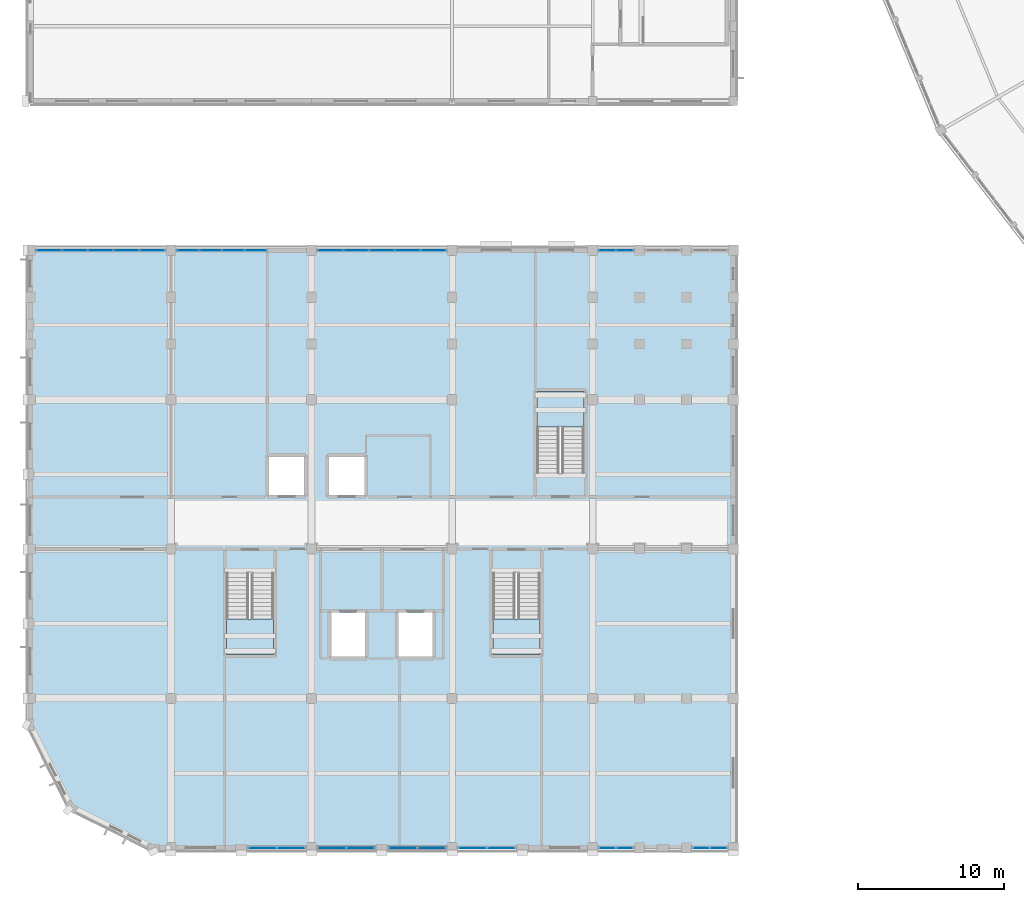
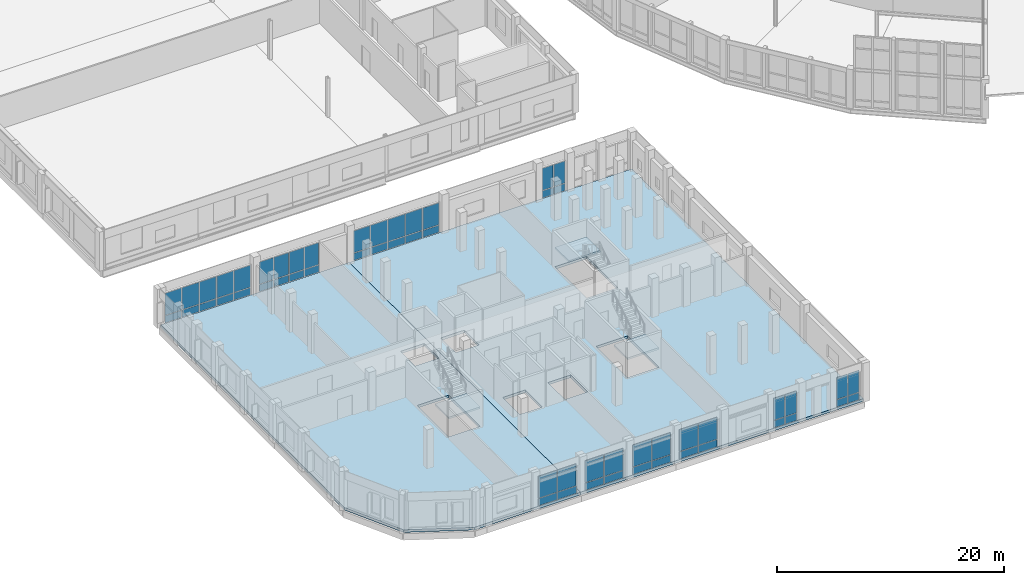
# One storey, part 136 of 185: 56 plates, 5 slabs, 13 elements without a shape of their own.
"""IFC4 building model written with IfcOpenShell, lengths in metres."""

from ifc_helpers import new_model, si_unit, direction, frame, origin, origin_2d, place, context, subcontext, project, spatial, polyline, rectangle, outline, extrude, material, layer, layer_set, type_object, element, aggregate, save


model = new_model("IFC4")

# Units and contexts
model_context = context("Model", 3, precision=1e-05, world=origin(), true_north=direction((0.0, 1.0)))
body_context = subcontext(model_context, "Body", "Model", "MODEL_VIEW")
ifc_project = project(units=[si_unit("LENGTHUNIT", "METRE"), si_unit("AREAUNIT", "SQUARE_METRE"), si_unit("VOLUMEUNIT", "CUBIC_METRE"), si_unit("PLANEANGLEUNIT", "RADIAN"), si_unit("MASSUNIT", "GRAM", prefix="KILO")], contexts=[model_context])

# Site, building, storey
site_placement = place(None, origin())
site = spatial("IfcSite", under=ifc_project, at=site_placement, CompositionType="ELEMENT")
building_placement = place(site_placement, origin())
building = spatial("IfcBuilding", under=site, at=building_placement, Name="Vondelvale Polytechnic", CompositionType="ELEMENT")
storey_placement = place(building_placement, frame((0.0, 0.0, 9.60009765625)))
storey = spatial("IfcBuildingStorey", under=building, at=storey_placement, Name="L02", CompositionType="ELEMENT", Elevation=9.60009765625)

# Curtain wall, plates
ifc_material_1 = material(Name="Anodised extruded aluminium 6063-T6", Category="aluminium")
curtain_wall_type_1 = type_object("IfcCurtainWallType", Name="CW-LIBRARY-BAY", PredefinedType="NOTDEFINED", material=ifc_material_1)
curtain_wall_1_placement = place(storey_placement, origin())
curtain_wall_1 = element("IfcCurtainWall", 1, at=curtain_wall_1_placement, inside=storey, type_object=curtain_wall_type_1, Name="L02 architectural curtain wall CW-02-013", PredefinedType="NOTDEFINED")
ifc_material_2 = material(Name="Double-glazed low-E insulated architectural glass", Category="glass")
ifc_layer_1 = layer(ifc_material_2, 0.028076171875)
ifc_layer_set_1 = layer_set([ifc_layer_1], Name="CW-PANEL-GLAZED")
plate_type_1 = type_object("IfcPlateType", Name="CW-PANEL-GLAZED", PredefinedType="CURTAIN_PANEL", material=ifc_layer_set_1)
plate_1_placement = place(storey_placement, frame((15.84375, 0.0, 0.8798828125), z_axis=(0.0, 0.0, 1.0), x_axis=(1.0, 0.0, 0.0)))
plate_1 = element("IfcPlate", 2, at=plate_1_placement, type_object=plate_type_1, Name="CW-02-013 panel 1.2", PredefinedType="CURTAIN_PANEL", context=body_context, shape_type="SweptSolid", body=[
    extrude(rectangle(XDim=1.8974609375, YDim=0.028076171875, at=origin_2d()), origin(), (0.0, 0.0, 1.0), 2.360107421875),
])
plate_2_placement = place(storey_placement, frame((17.80615234375, 0.0, 0.8798828125), z_axis=(0.0, 0.0, 1.0), x_axis=(1.0, 0.0, 0.0)))
plate_2 = element("IfcPlate", 3, at=plate_2_placement, type_object=plate_type_1, Name="CW-02-013 panel 2.2", PredefinedType="CURTAIN_PANEL", context=body_context, shape_type="SweptSolid", body=[
    extrude(rectangle(XDim=1.8974609375, YDim=0.028076171875, at=origin_2d()), origin(), (0.0, 0.0, 1.0), 2.360107421875),
])

curtain_wall_2_placement = place(storey_placement, origin())
curtain_wall_2 = element("IfcCurtainWall", 4, at=curtain_wall_2_placement, inside=storey, type_object=curtain_wall_type_1, Name="L02 architectural curtain wall CW-02-014", PredefinedType="NOTDEFINED")
plate_3_placement = place(storey_placement, frame((20.59375, 0.0, 0.8798828125), z_axis=(0.0, 0.0, 1.0), x_axis=(1.0, 0.0, 0.0)))
plate_3 = element("IfcPlate", 5, at=plate_3_placement, type_object=plate_type_1, Name="CW-02-014 panel 1.2", PredefinedType="CURTAIN_PANEL", context=body_context, shape_type="SweptSolid", body=[
    extrude(rectangle(XDim=1.8974609375, YDim=0.028076171875, at=origin_2d()), origin(), (0.0, 0.0, 1.0), 2.360107421875),
])
plate_4_placement = place(storey_placement, frame((22.55615234375, 0.0, 0.8798828125), z_axis=(0.0, 0.0, 1.0), x_axis=(1.0, 0.0, 0.0)))
plate_4 = element("IfcPlate", 6, at=plate_4_placement, type_object=plate_type_1, Name="CW-02-014 panel 2.2", PredefinedType="CURTAIN_PANEL", context=body_context, shape_type="SweptSolid", body=[
    extrude(rectangle(XDim=1.8974609375, YDim=0.028076171875, at=origin_2d()), origin(), (0.0, 0.0, 1.0), 2.360107421875),
])

curtain_wall_3_placement = place(storey_placement, origin())
curtain_wall_3 = element("IfcCurtainWall", 7, at=curtain_wall_3_placement, inside=storey, type_object=curtain_wall_type_1, Name="L02 architectural curtain wall CW-02-015", PredefinedType="NOTDEFINED")
plate_5_placement = place(storey_placement, frame((25.44384765625, 0.0, 0.8798828125), z_axis=(0.0, 0.0, 1.0), x_axis=(1.0, 0.0, 0.0)))
plate_5 = element("IfcPlate", 8, at=plate_5_placement, type_object=plate_type_1, Name="CW-02-015 panel 1.2", PredefinedType="CURTAIN_PANEL", context=body_context, shape_type="SweptSolid", body=[
    extrude(rectangle(XDim=1.8974609375, YDim=0.028076171875, at=origin_2d()), origin(), (0.0, 0.0, 1.0), 2.360107421875),
])
plate_6_placement = place(storey_placement, frame((27.40625, 0.0, 0.8798828125), z_axis=(0.0, 0.0, 1.0), x_axis=(1.0, 0.0, 0.0)))
plate_6 = element("IfcPlate", 9, at=plate_6_placement, type_object=plate_type_1, Name="CW-02-015 panel 2.2", PredefinedType="CURTAIN_PANEL", context=body_context, shape_type="SweptSolid", body=[
    extrude(rectangle(XDim=1.8974609375, YDim=0.028076171875, at=origin_2d()), origin(), (0.0, 0.0, 1.0), 2.360107421875),
])

curtain_wall_4_placement = place(storey_placement, origin())
curtain_wall_4 = element("IfcCurtainWall", 10, at=curtain_wall_4_placement, inside=storey, type_object=curtain_wall_type_1, Name="L02 architectural curtain wall CW-02-016", PredefinedType="NOTDEFINED")
plate_7_placement = place(storey_placement, frame((30.19384765625, 0.0, 0.8798828125), z_axis=(0.0, 0.0, 1.0), x_axis=(1.0, 0.0, 0.0)))
plate_7 = element("IfcPlate", 11, at=plate_7_placement, type_object=plate_type_1, Name="CW-02-016 panel 1.2", PredefinedType="CURTAIN_PANEL", context=body_context, shape_type="SweptSolid", body=[
    extrude(rectangle(XDim=1.8974609375, YDim=0.028076171875, at=origin_2d()), origin(), (0.0, 0.0, 1.0), 2.360107421875),
])
plate_8_placement = place(storey_placement, frame((32.15625, 0.0, 0.8798828125), z_axis=(0.0, 0.0, 1.0), x_axis=(1.0, 0.0, 0.0)))
plate_8 = element("IfcPlate", 12, at=plate_8_placement, type_object=plate_type_1, Name="CW-02-016 panel 2.2", PredefinedType="CURTAIN_PANEL", context=body_context, shape_type="SweptSolid", body=[
    extrude(rectangle(XDim=1.8974609375, YDim=0.028076171875, at=origin_2d()), origin(), (0.0, 0.0, 1.0), 2.360107421875),
])

curtain_wall_5_placement = place(storey_placement, origin())
curtain_wall_5 = element("IfcCurtainWall", 13, at=curtain_wall_5_placement, inside=storey, type_object=curtain_wall_type_1, Name="L02 architectural curtain wall CW-02-017", PredefinedType="NOTDEFINED")
plate_9_placement = place(storey_placement, frame((39.40625, 0.0, 0.8798828125), z_axis=(0.0, 0.0, 1.0), x_axis=(1.0, 0.0, 0.0)))
plate_9 = element("IfcPlate", 14, at=plate_9_placement, type_object=plate_type_1, Name="CW-02-017 panel 1.2", PredefinedType="CURTAIN_PANEL", context=body_context, shape_type="SweptSolid", body=[
    extrude(rectangle(XDim=1.12255859375, YDim=0.028076171875, at=origin_2d()), origin(), (0.0, 0.0, 1.0), 2.360107421875),
])
plate_10_placement = place(storey_placement, frame((40.59375, 0.0, 0.8798828125), z_axis=(0.0, 0.0, 1.0), x_axis=(1.0, 0.0, 0.0)))
plate_10 = element("IfcPlate", 15, at=plate_10_placement, type_object=plate_type_1, Name="CW-02-017 panel 2.2", PredefinedType="CURTAIN_PANEL", context=body_context, shape_type="SweptSolid", body=[
    extrude(rectangle(XDim=1.12255859375, YDim=0.028076171875, at=origin_2d()), origin(), (0.0, 0.0, 1.0), 2.360107421875),
])

curtain_wall_6_placement = place(storey_placement, origin())
curtain_wall_6 = element("IfcCurtainWall", 16, at=curtain_wall_6_placement, inside=storey, type_object=curtain_wall_type_1, Name="L02 architectural curtain wall CW-02-018", PredefinedType="NOTDEFINED")
plate_11_placement = place(storey_placement, frame((45.80615234375, 0.0, 0.8798828125), z_axis=(0.0, 0.0, 1.0), x_axis=(1.0, 0.0, 0.0)))
plate_11 = element("IfcPlate", 17, at=plate_11_placement, type_object=plate_type_1, Name="CW-02-018 panel 1.2", PredefinedType="CURTAIN_PANEL", context=body_context, shape_type="SweptSolid", body=[
    extrude(rectangle(XDim=1.12255859375, YDim=0.028076171875, at=origin_2d()), origin(), (0.0, 0.0, 1.0), 2.360107421875),
])
plate_12_placement = place(storey_placement, frame((46.99365234375, 0.0, 0.8798828125), z_axis=(0.0, 0.0, 1.0), x_axis=(1.0, 0.0, 0.0)))
plate_12 = element("IfcPlate", 18, at=plate_12_placement, type_object=plate_type_1, Name="CW-02-018 panel 2.2", PredefinedType="CURTAIN_PANEL", context=body_context, shape_type="SweptSolid", body=[
    extrude(rectangle(XDim=1.12255859375, YDim=0.028076171875, at=origin_2d()), origin(), (0.0, 0.0, 1.0), 2.360107421875),
])

curtain_wall_type_2 = type_object("IfcCurtainWallType", Name="CW-STUDIO-NORTH", PredefinedType="NOTDEFINED", material=ifc_material_1)
curtain_wall_7_placement = place(storey_placement, origin())
curtain_wall_7 = element("IfcCurtainWall", 19, at=curtain_wall_7_placement, inside=storey, type_object=curtain_wall_type_2, Name="L02 architectural curtain wall CW-01-019", PredefinedType="NOTDEFINED")
plate_13_placement = place(storey_placement, frame((1.2802734375, 40.800048828125, 0.8798828125), z_axis=(0.0, 0.0, 1.0), x_axis=(1.0, 0.0, 0.0)))
plate_13 = element("IfcPlate", 20, at=plate_13_placement, type_object=plate_type_1, Name="CW-01-019 panel 1.2", PredefinedType="CURTAIN_PANEL", context=body_context, shape_type="SweptSolid", body=[
    extrude(rectangle(XDim=1.67041015625, YDim=0.028076171875, at=origin_2d()), origin(), (0.0, 0.0, 1.0), 2.360107421875),
])
plate_14_placement = place(storey_placement, frame((3.031982421875, 40.800048828125, 0.8798828125), z_axis=(0.0, 0.0, 1.0), x_axis=(1.0, 0.0, 0.0)))
plate_14 = element("IfcPlate", 21, at=plate_14_placement, type_object=plate_type_1, Name="CW-01-019 panel 2.2", PredefinedType="CURTAIN_PANEL", context=body_context, shape_type="SweptSolid", body=[
    extrude(rectangle(XDim=1.702880859375, YDim=0.028076171875, at=origin_2d()), origin(), (0.0, 0.0, 1.0), 2.360107421875),
])
plate_15_placement = place(storey_placement, frame((4.800048828125, 40.800048828125, 0.8798828125), z_axis=(0.0, 0.0, 1.0), x_axis=(1.0, 0.0, 0.0)))
plate_15 = element("IfcPlate", 22, at=plate_15_placement, type_object=plate_type_1, Name="CW-01-019 panel 3.2", PredefinedType="CURTAIN_PANEL", context=body_context, shape_type="SweptSolid", body=[
    extrude(rectangle(XDim=1.702880859375, YDim=0.028076171875, at=origin_2d()), origin(), (0.0, 0.0, 1.0), 2.360107421875),
])
plate_16_placement = place(storey_placement, frame((6.568115234375, 40.800048828125, 0.8798828125), z_axis=(0.0, 0.0, 1.0), x_axis=(1.0, 0.0, 0.0)))
plate_16 = element("IfcPlate", 23, at=plate_16_placement, type_object=plate_type_1, Name="CW-01-019 panel 4.2", PredefinedType="CURTAIN_PANEL", context=body_context, shape_type="SweptSolid", body=[
    extrude(rectangle(XDim=1.702880859375, YDim=0.028076171875, at=origin_2d()), origin(), (0.0, 0.0, 1.0), 2.360107421875),
])
plate_17_placement = place(storey_placement, frame((8.31982421875, 40.800048828125, 0.8798828125), z_axis=(0.0, 0.0, 1.0), x_axis=(1.0, 0.0, 0.0)))
plate_17 = element("IfcPlate", 24, at=plate_17_placement, type_object=plate_type_1, Name="CW-01-019 panel 5.2", PredefinedType="CURTAIN_PANEL", context=body_context, shape_type="SweptSolid", body=[
    extrude(rectangle(XDim=1.67041015625, YDim=0.028076171875, at=origin_2d()), origin(), (0.0, 0.0, 1.0), 2.360107421875),
])

curtain_wall_8_placement = place(storey_placement, origin())
curtain_wall_8 = element("IfcCurtainWall", 25, at=curtain_wall_8_placement, inside=storey, type_object=curtain_wall_type_2, Name="L02 architectural curtain wall CW-01-020", PredefinedType="NOTDEFINED")
plate_18_placement = place(storey_placement, frame((10.768798828125, 40.800048828125, 0.8798828125), z_axis=(0.0, 0.0, 1.0), x_axis=(1.0, 0.0, 0.0)))
plate_18 = element("IfcPlate", 26, at=plate_18_placement, type_object=plate_type_1, Name="CW-01-020 panel 1.2", PredefinedType="CURTAIN_PANEL", context=body_context, shape_type="SweptSolid", body=[
    extrude(rectangle(XDim=1.447509765625, YDim=0.028076171875, at=origin_2d()), origin(), (0.0, 0.0, 1.0), 2.360107421875),
])
plate_19_placement = place(storey_placement, frame((12.297607421875, 40.800048828125, 0.8798828125), z_axis=(0.0, 0.0, 1.0), x_axis=(1.0, 0.0, 0.0)))
plate_19 = element("IfcPlate", 27, at=plate_19_placement, type_object=plate_type_1, Name="CW-01-020 panel 2.2", PredefinedType="CURTAIN_PANEL", context=body_context, shape_type="SweptSolid", body=[
    extrude(rectangle(XDim=1.47998046875, YDim=0.028076171875, at=origin_2d()), origin(), (0.0, 0.0, 1.0), 2.360107421875),
])
plate_20_placement = place(storey_placement, frame((13.842529296875, 40.800048828125, 0.8798828125), z_axis=(0.0, 0.0, 1.0), x_axis=(1.0, 0.0, 0.0)))
plate_20 = element("IfcPlate", 28, at=plate_20_placement, type_object=plate_type_1, Name="CW-01-020 panel 3.2", PredefinedType="CURTAIN_PANEL", context=body_context, shape_type="SweptSolid", body=[
    extrude(rectangle(XDim=1.47998046875, YDim=0.028076171875, at=origin_2d()), origin(), (0.0, 0.0, 1.0), 2.360107421875),
])
plate_21_placement = place(storey_placement, frame((15.371337890625, 40.800048828125, 0.8798828125), z_axis=(0.0, 0.0, 1.0), x_axis=(1.0, 0.0, 0.0)))
plate_21 = element("IfcPlate", 29, at=plate_21_placement, type_object=plate_type_1, Name="CW-01-020 panel 4.2", PredefinedType="CURTAIN_PANEL", context=body_context, shape_type="SweptSolid", body=[
    extrude(rectangle(XDim=1.447509765625, YDim=0.028076171875, at=origin_2d()), origin(), (0.0, 0.0, 1.0), 2.360107421875),
])

curtain_wall_9_placement = place(storey_placement, origin())
curtain_wall_9 = element("IfcCurtainWall", 30, at=curtain_wall_9_placement, inside=storey, type_object=curtain_wall_type_2, Name="L02 architectural curtain wall CW-01-021", PredefinedType="NOTDEFINED")
plate_22_placement = place(storey_placement, frame((20.480224609375, 40.800048828125, 0.8798828125), z_axis=(0.0, 0.0, 1.0), x_axis=(1.0, 0.0, 0.0)))
plate_22 = element("IfcPlate", 31, at=plate_22_placement, type_object=plate_type_1, Name="CW-01-021 panel 1.2", PredefinedType="CURTAIN_PANEL", context=body_context, shape_type="SweptSolid", body=[
    extrude(rectangle(XDim=1.67041015625, YDim=0.028076171875, at=origin_2d()), origin(), (0.0, 0.0, 1.0), 2.360107421875),
])
plate_23_placement = place(storey_placement, frame((22.23193359375, 40.800048828125, 0.8798828125), z_axis=(0.0, 0.0, 1.0), x_axis=(1.0, 0.0, 0.0)))
plate_23 = element("IfcPlate", 32, at=plate_23_placement, type_object=plate_type_1, Name="CW-01-021 panel 2.2", PredefinedType="CURTAIN_PANEL", context=body_context, shape_type="SweptSolid", body=[
    extrude(rectangle(XDim=1.702880859375, YDim=0.028076171875, at=origin_2d()), origin(), (0.0, 0.0, 1.0), 2.360107421875),
])
plate_24_placement = place(storey_placement, frame((24.0, 40.800048828125, 0.8798828125), z_axis=(0.0, 0.0, 1.0), x_axis=(1.0, 0.0, 0.0)))
plate_24 = element("IfcPlate", 33, at=plate_24_placement, type_object=plate_type_1, Name="CW-01-021 panel 3.2", PredefinedType="CURTAIN_PANEL", context=body_context, shape_type="SweptSolid", body=[
    extrude(rectangle(XDim=1.702880859375, YDim=0.028076171875, at=origin_2d()), origin(), (0.0, 0.0, 1.0), 2.360107421875),
])
plate_25_placement = place(storey_placement, frame((25.76806640625, 40.800048828125, 0.8798828125), z_axis=(0.0, 0.0, 1.0), x_axis=(1.0, 0.0, 0.0)))
plate_25 = element("IfcPlate", 34, at=plate_25_placement, type_object=plate_type_1, Name="CW-01-021 panel 4.2", PredefinedType="CURTAIN_PANEL", context=body_context, shape_type="SweptSolid", body=[
    extrude(rectangle(XDim=1.702880859375, YDim=0.028076171875, at=origin_2d()), origin(), (0.0, 0.0, 1.0), 2.360107421875),
])
plate_26_placement = place(storey_placement, frame((27.519775390625, 40.800048828125, 0.8798828125), z_axis=(0.0, 0.0, 1.0), x_axis=(1.0, 0.0, 0.0)))
plate_26 = element("IfcPlate", 35, at=plate_26_placement, type_object=plate_type_1, Name="CW-01-021 panel 5.2", PredefinedType="CURTAIN_PANEL", context=body_context, shape_type="SweptSolid", body=[
    extrude(rectangle(XDim=1.67041015625, YDim=0.028076171875, at=origin_2d()), origin(), (0.0, 0.0, 1.0), 2.360107421875),
])

curtain_wall_10_placement = place(storey_placement, origin())
curtain_wall_10 = element("IfcCurtainWall", 36, at=curtain_wall_10_placement, inside=storey, type_object=curtain_wall_type_2, Name="L02 architectural curtain wall CW-01-022", PredefinedType="NOTDEFINED")
plate_27_placement = place(storey_placement, frame((39.40625, 40.800048828125, 0.8798828125), z_axis=(0.0, 0.0, 1.0), x_axis=(1.0, 0.0, 0.0)))
plate_27 = element("IfcPlate", 37, at=plate_27_placement, type_object=plate_type_1, Name="CW-01-022 panel 1.2", PredefinedType="CURTAIN_PANEL", context=body_context, shape_type="SweptSolid", body=[
    extrude(rectangle(XDim=1.12255859375, YDim=0.028076171875, at=origin_2d()), origin(), (0.0, 0.0, 1.0), 2.360107421875),
])
plate_28_placement = place(storey_placement, frame((40.59375, 40.800048828125, 0.8798828125), z_axis=(0.0, 0.0, 1.0), x_axis=(1.0, 0.0, 0.0)))
plate_28 = element("IfcPlate", 38, at=plate_28_placement, type_object=plate_type_1, Name="CW-01-022 panel 2.2", PredefinedType="CURTAIN_PANEL", context=body_context, shape_type="SweptSolid", body=[
    extrude(rectangle(XDim=1.12255859375, YDim=0.028076171875, at=origin_2d()), origin(), (0.0, 0.0, 1.0), 2.360107421875),
])

# Plate
ifc_material_3 = material(Name="Kiln-fired architectural terracotta", Category="masonry")
ifc_layer_2 = layer(ifc_material_3, 0.035888671875)
ifc_layer_set_2 = layer_set([ifc_layer_2], Name="CW-PANEL-SPANDREL")
plate_type_2 = type_object("IfcPlateType", Name="CW-PANEL-SPANDREL", PredefinedType="CURTAIN_PANEL", material=ifc_layer_set_2)
plate_29_placement = place(storey_placement, frame((15.84375, 0.0, 0.06005859375), z_axis=(0.0, 0.0, 1.0), x_axis=(1.0, 0.0, 0.0)))
plate_29 = element("IfcPlate", 39, at=plate_29_placement, type_object=plate_type_2, Name="CW-02-013 panel 1.1", PredefinedType="CURTAIN_PANEL", context=body_context, shape_type="SweptSolid", body=[
    extrude(rectangle(XDim=1.8974609375, YDim=0.035888671875, at=origin_2d()), origin(), (0.0, 0.0, 1.0), 0.760009765625),
])

plate_30_placement = place(storey_placement, frame((17.80615234375, 0.0, 0.06005859375), z_axis=(0.0, 0.0, 1.0), x_axis=(1.0, 0.0, 0.0)))
plate_30 = element("IfcPlate", 40, at=plate_30_placement, type_object=plate_type_2, Name="CW-02-013 panel 2.1", PredefinedType="CURTAIN_PANEL", context=body_context, shape_type="SweptSolid", body=[
    extrude(rectangle(XDim=1.8974609375, YDim=0.035888671875, at=origin_2d()), origin(), (0.0, 0.0, 1.0), 0.760009765625),
])

aggregate(curtain_wall_1, [plate_29, plate_1, plate_30, plate_2])

plate_31_placement = place(storey_placement, frame((20.59375, 0.0, 0.06005859375), z_axis=(0.0, 0.0, 1.0), x_axis=(1.0, 0.0, 0.0)))
plate_31 = element("IfcPlate", 41, at=plate_31_placement, type_object=plate_type_2, Name="CW-02-014 panel 1.1", PredefinedType="CURTAIN_PANEL", context=body_context, shape_type="SweptSolid", body=[
    extrude(rectangle(XDim=1.8974609375, YDim=0.035888671875, at=origin_2d()), origin(), (0.0, 0.0, 1.0), 0.760009765625),
])

plate_32_placement = place(storey_placement, frame((22.55615234375, 0.0, 0.06005859375), z_axis=(0.0, 0.0, 1.0), x_axis=(1.0, 0.0, 0.0)))
plate_32 = element("IfcPlate", 42, at=plate_32_placement, type_object=plate_type_2, Name="CW-02-014 panel 2.1", PredefinedType="CURTAIN_PANEL", context=body_context, shape_type="SweptSolid", body=[
    extrude(rectangle(XDim=1.8974609375, YDim=0.035888671875, at=origin_2d()), origin(), (0.0, 0.0, 1.0), 0.760009765625),
])

aggregate(curtain_wall_2, [plate_31, plate_3, plate_32, plate_4])

plate_33_placement = place(storey_placement, frame((25.44384765625, 0.0, 0.06005859375), z_axis=(0.0, 0.0, 1.0), x_axis=(1.0, 0.0, 0.0)))
plate_33 = element("IfcPlate", 43, at=plate_33_placement, type_object=plate_type_2, Name="CW-02-015 panel 1.1", PredefinedType="CURTAIN_PANEL", context=body_context, shape_type="SweptSolid", body=[
    extrude(rectangle(XDim=1.8974609375, YDim=0.035888671875, at=origin_2d()), origin(), (0.0, 0.0, 1.0), 0.760009765625),
])

plate_34_placement = place(storey_placement, frame((27.40625, 0.0, 0.06005859375), z_axis=(0.0, 0.0, 1.0), x_axis=(1.0, 0.0, 0.0)))
plate_34 = element("IfcPlate", 44, at=plate_34_placement, type_object=plate_type_2, Name="CW-02-015 panel 2.1", PredefinedType="CURTAIN_PANEL", context=body_context, shape_type="SweptSolid", body=[
    extrude(rectangle(XDim=1.8974609375, YDim=0.035888671875, at=origin_2d()), origin(), (0.0, 0.0, 1.0), 0.760009765625),
])

aggregate(curtain_wall_3, [plate_33, plate_5, plate_34, plate_6])

plate_35_placement = place(storey_placement, frame((30.19384765625, 0.0, 0.06005859375), z_axis=(0.0, 0.0, 1.0), x_axis=(1.0, 0.0, 0.0)))
plate_35 = element("IfcPlate", 45, at=plate_35_placement, type_object=plate_type_2, Name="CW-02-016 panel 1.1", PredefinedType="CURTAIN_PANEL", context=body_context, shape_type="SweptSolid", body=[
    extrude(rectangle(XDim=1.8974609375, YDim=0.035888671875, at=origin_2d()), origin(), (0.0, 0.0, 1.0), 0.760009765625),
])

plate_36_placement = place(storey_placement, frame((32.15625, 0.0, 0.06005859375), z_axis=(0.0, 0.0, 1.0), x_axis=(1.0, 0.0, 0.0)))
plate_36 = element("IfcPlate", 46, at=plate_36_placement, type_object=plate_type_2, Name="CW-02-016 panel 2.1", PredefinedType="CURTAIN_PANEL", context=body_context, shape_type="SweptSolid", body=[
    extrude(rectangle(XDim=1.8974609375, YDim=0.035888671875, at=origin_2d()), origin(), (0.0, 0.0, 1.0), 0.760009765625),
])

aggregate(curtain_wall_4, [plate_35, plate_7, plate_36, plate_8])

plate_37_placement = place(storey_placement, frame((39.40625, 0.0, 0.06005859375), z_axis=(0.0, 0.0, 1.0), x_axis=(1.0, 0.0, 0.0)))
plate_37 = element("IfcPlate", 47, at=plate_37_placement, type_object=plate_type_2, Name="CW-02-017 panel 1.1", PredefinedType="CURTAIN_PANEL", context=body_context, shape_type="SweptSolid", body=[
    extrude(rectangle(XDim=1.12255859375, YDim=0.035888671875, at=origin_2d()), origin(), (0.0, 0.0, 1.0), 0.760009765625),
])

plate_38_placement = place(storey_placement, frame((40.59375, 0.0, 0.06005859375), z_axis=(0.0, 0.0, 1.0), x_axis=(1.0, 0.0, 0.0)))
plate_38 = element("IfcPlate", 48, at=plate_38_placement, type_object=plate_type_2, Name="CW-02-017 panel 2.1", PredefinedType="CURTAIN_PANEL", context=body_context, shape_type="SweptSolid", body=[
    extrude(rectangle(XDim=1.12255859375, YDim=0.035888671875, at=origin_2d()), origin(), (0.0, 0.0, 1.0), 0.760009765625),
])

aggregate(curtain_wall_5, [plate_37, plate_9, plate_38, plate_10])

plate_39_placement = place(storey_placement, frame((45.80615234375, 0.0, 0.06005859375), z_axis=(0.0, 0.0, 1.0), x_axis=(1.0, 0.0, 0.0)))
plate_39 = element("IfcPlate", 49, at=plate_39_placement, type_object=plate_type_2, Name="CW-02-018 panel 1.1", PredefinedType="CURTAIN_PANEL", context=body_context, shape_type="SweptSolid", body=[
    extrude(rectangle(XDim=1.12255859375, YDim=0.035888671875, at=origin_2d()), origin(), (0.0, 0.0, 1.0), 0.760009765625),
])

plate_40_placement = place(storey_placement, frame((46.99365234375, 0.0, 0.06005859375), z_axis=(0.0, 0.0, 1.0), x_axis=(1.0, 0.0, 0.0)))
plate_40 = element("IfcPlate", 50, at=plate_40_placement, type_object=plate_type_2, Name="CW-02-018 panel 2.1", PredefinedType="CURTAIN_PANEL", context=body_context, shape_type="SweptSolid", body=[
    extrude(rectangle(XDim=1.12255859375, YDim=0.035888671875, at=origin_2d()), origin(), (0.0, 0.0, 1.0), 0.760009765625),
])

aggregate(curtain_wall_6, [plate_39, plate_11, plate_40, plate_12])

plate_41_placement = place(storey_placement, frame((1.2802734375, 40.800048828125, 0.06005859375), z_axis=(0.0, 0.0, 1.0), x_axis=(1.0, 0.0, 0.0)))
plate_41 = element("IfcPlate", 51, at=plate_41_placement, type_object=plate_type_2, Name="CW-01-019 panel 1.1", PredefinedType="CURTAIN_PANEL", context=body_context, shape_type="SweptSolid", body=[
    extrude(rectangle(XDim=1.67041015625, YDim=0.035888671875, at=origin_2d()), origin(), (0.0, 0.0, 1.0), 0.760009765625),
])

plate_42_placement = place(storey_placement, frame((3.031982421875, 40.800048828125, 0.06005859375), z_axis=(0.0, 0.0, 1.0), x_axis=(1.0, 0.0, 0.0)))
plate_42 = element("IfcPlate", 52, at=plate_42_placement, type_object=plate_type_2, Name="CW-01-019 panel 2.1", PredefinedType="CURTAIN_PANEL", context=body_context, shape_type="SweptSolid", body=[
    extrude(rectangle(XDim=1.702880859375, YDim=0.035888671875, at=origin_2d()), origin(), (0.0, 0.0, 1.0), 0.760009765625),
])

plate_43_placement = place(storey_placement, frame((4.800048828125, 40.800048828125, 0.06005859375), z_axis=(0.0, 0.0, 1.0), x_axis=(1.0, 0.0, 0.0)))
plate_43 = element("IfcPlate", 53, at=plate_43_placement, type_object=plate_type_2, Name="CW-01-019 panel 3.1", PredefinedType="CURTAIN_PANEL", context=body_context, shape_type="SweptSolid", body=[
    extrude(rectangle(XDim=1.702880859375, YDim=0.035888671875, at=origin_2d()), origin(), (0.0, 0.0, 1.0), 0.760009765625),
])

plate_44_placement = place(storey_placement, frame((6.568115234375, 40.800048828125, 0.06005859375), z_axis=(0.0, 0.0, 1.0), x_axis=(1.0, 0.0, 0.0)))
plate_44 = element("IfcPlate", 54, at=plate_44_placement, type_object=plate_type_2, Name="CW-01-019 panel 4.1", PredefinedType="CURTAIN_PANEL", context=body_context, shape_type="SweptSolid", body=[
    extrude(rectangle(XDim=1.702880859375, YDim=0.035888671875, at=origin_2d()), origin(), (0.0, 0.0, 1.0), 0.760009765625),
])

plate_45_placement = place(storey_placement, frame((8.31982421875, 40.800048828125, 0.06005859375), z_axis=(0.0, 0.0, 1.0), x_axis=(1.0, 0.0, 0.0)))
plate_45 = element("IfcPlate", 55, at=plate_45_placement, type_object=plate_type_2, Name="CW-01-019 panel 5.1", PredefinedType="CURTAIN_PANEL", context=body_context, shape_type="SweptSolid", body=[
    extrude(rectangle(XDim=1.67041015625, YDim=0.035888671875, at=origin_2d()), origin(), (0.0, 0.0, 1.0), 0.760009765625),
])

aggregate(curtain_wall_7, [plate_41, plate_13, plate_42, plate_14, plate_43, plate_15, plate_44, plate_16, plate_45, plate_17])

plate_46_placement = place(storey_placement, frame((10.768798828125, 40.800048828125, 0.06005859375), z_axis=(0.0, 0.0, 1.0), x_axis=(1.0, 0.0, 0.0)))
plate_46 = element("IfcPlate", 56, at=plate_46_placement, type_object=plate_type_2, Name="CW-01-020 panel 1.1", PredefinedType="CURTAIN_PANEL", context=body_context, shape_type="SweptSolid", body=[
    extrude(rectangle(XDim=1.447509765625, YDim=0.035888671875, at=origin_2d()), origin(), (0.0, 0.0, 1.0), 0.760009765625),
])

plate_47_placement = place(storey_placement, frame((12.297607421875, 40.800048828125, 0.06005859375), z_axis=(0.0, 0.0, 1.0), x_axis=(1.0, 0.0, 0.0)))
plate_47 = element("IfcPlate", 57, at=plate_47_placement, type_object=plate_type_2, Name="CW-01-020 panel 2.1", PredefinedType="CURTAIN_PANEL", context=body_context, shape_type="SweptSolid", body=[
    extrude(rectangle(XDim=1.47998046875, YDim=0.035888671875, at=origin_2d()), origin(), (0.0, 0.0, 1.0), 0.760009765625),
])

plate_48_placement = place(storey_placement, frame((13.842529296875, 40.800048828125, 0.06005859375), z_axis=(0.0, 0.0, 1.0), x_axis=(1.0, 0.0, 0.0)))
plate_48 = element("IfcPlate", 58, at=plate_48_placement, type_object=plate_type_2, Name="CW-01-020 panel 3.1", PredefinedType="CURTAIN_PANEL", context=body_context, shape_type="SweptSolid", body=[
    extrude(rectangle(XDim=1.47998046875, YDim=0.035888671875, at=origin_2d()), origin(), (0.0, 0.0, 1.0), 0.760009765625),
])

plate_49_placement = place(storey_placement, frame((15.371337890625, 40.800048828125, 0.06005859375), z_axis=(0.0, 0.0, 1.0), x_axis=(1.0, 0.0, 0.0)))
plate_49 = element("IfcPlate", 59, at=plate_49_placement, type_object=plate_type_2, Name="CW-01-020 panel 4.1", PredefinedType="CURTAIN_PANEL", context=body_context, shape_type="SweptSolid", body=[
    extrude(rectangle(XDim=1.447509765625, YDim=0.035888671875, at=origin_2d()), origin(), (0.0, 0.0, 1.0), 0.760009765625),
])

aggregate(curtain_wall_8, [plate_46, plate_18, plate_47, plate_19, plate_48, plate_20, plate_49, plate_21])

plate_50_placement = place(storey_placement, frame((20.480224609375, 40.800048828125, 0.06005859375), z_axis=(0.0, 0.0, 1.0), x_axis=(1.0, 0.0, 0.0)))
plate_50 = element("IfcPlate", 60, at=plate_50_placement, type_object=plate_type_2, Name="CW-01-021 panel 1.1", PredefinedType="CURTAIN_PANEL", context=body_context, shape_type="SweptSolid", body=[
    extrude(rectangle(XDim=1.67041015625, YDim=0.035888671875, at=origin_2d()), origin(), (0.0, 0.0, 1.0), 0.760009765625),
])

plate_51_placement = place(storey_placement, frame((22.23193359375, 40.800048828125, 0.06005859375), z_axis=(0.0, 0.0, 1.0), x_axis=(1.0, 0.0, 0.0)))
plate_51 = element("IfcPlate", 61, at=plate_51_placement, type_object=plate_type_2, Name="CW-01-021 panel 2.1", PredefinedType="CURTAIN_PANEL", context=body_context, shape_type="SweptSolid", body=[
    extrude(rectangle(XDim=1.702880859375, YDim=0.035888671875, at=origin_2d()), origin(), (0.0, 0.0, 1.0), 0.760009765625),
])

plate_52_placement = place(storey_placement, frame((24.0, 40.800048828125, 0.06005859375), z_axis=(0.0, 0.0, 1.0), x_axis=(1.0, 0.0, 0.0)))
plate_52 = element("IfcPlate", 62, at=plate_52_placement, type_object=plate_type_2, Name="CW-01-021 panel 3.1", PredefinedType="CURTAIN_PANEL", context=body_context, shape_type="SweptSolid", body=[
    extrude(rectangle(XDim=1.702880859375, YDim=0.035888671875, at=origin_2d()), origin(), (0.0, 0.0, 1.0), 0.760009765625),
])

plate_53_placement = place(storey_placement, frame((25.76806640625, 40.800048828125, 0.06005859375), z_axis=(0.0, 0.0, 1.0), x_axis=(1.0, 0.0, 0.0)))
plate_53 = element("IfcPlate", 63, at=plate_53_placement, type_object=plate_type_2, Name="CW-01-021 panel 4.1", PredefinedType="CURTAIN_PANEL", context=body_context, shape_type="SweptSolid", body=[
    extrude(rectangle(XDim=1.702880859375, YDim=0.035888671875, at=origin_2d()), origin(), (0.0, 0.0, 1.0), 0.760009765625),
])

plate_54_placement = place(storey_placement, frame((27.519775390625, 40.800048828125, 0.06005859375), z_axis=(0.0, 0.0, 1.0), x_axis=(1.0, 0.0, 0.0)))
plate_54 = element("IfcPlate", 64, at=plate_54_placement, type_object=plate_type_2, Name="CW-01-021 panel 5.1", PredefinedType="CURTAIN_PANEL", context=body_context, shape_type="SweptSolid", body=[
    extrude(rectangle(XDim=1.67041015625, YDim=0.035888671875, at=origin_2d()), origin(), (0.0, 0.0, 1.0), 0.760009765625),
])

aggregate(curtain_wall_9, [plate_50, plate_22, plate_51, plate_23, plate_52, plate_24, plate_53, plate_25, plate_54, plate_26])

plate_55_placement = place(storey_placement, frame((39.40625, 40.800048828125, 0.06005859375), z_axis=(0.0, 0.0, 1.0), x_axis=(1.0, 0.0, 0.0)))
plate_55 = element("IfcPlate", 65, at=plate_55_placement, type_object=plate_type_2, Name="CW-01-022 panel 1.1", PredefinedType="CURTAIN_PANEL", context=body_context, shape_type="SweptSolid", body=[
    extrude(rectangle(XDim=1.12255859375, YDim=0.035888671875, at=origin_2d()), origin(), (0.0, 0.0, 1.0), 0.760009765625),
])

plate_56_placement = place(storey_placement, frame((40.59375, 40.800048828125, 0.06005859375), z_axis=(0.0, 0.0, 1.0), x_axis=(1.0, 0.0, 0.0)))
plate_56 = element("IfcPlate", 66, at=plate_56_placement, type_object=plate_type_2, Name="CW-01-022 panel 2.1", PredefinedType="CURTAIN_PANEL", context=body_context, shape_type="SweptSolid", body=[
    extrude(rectangle(XDim=1.12255859375, YDim=0.035888671875, at=origin_2d()), origin(), (0.0, 0.0, 1.0), 0.760009765625),
])

aggregate(curtain_wall_10, [plate_55, plate_27, plate_56, plate_28])

# Slabs
ifc_material_4 = material(Name="Concrete N40 (f'c = 40 MPa)", Category="concrete")
ifc_layer_3 = layer(ifc_material_4, 0.25)
ifc_layer_set_3 = layer_set([ifc_layer_3], Name="SLB-LAB-250")
slab_type_1 = type_object("IfcSlabType", Name="SLB-LAB-250", PredefinedType="FLOOR", material=ifc_layer_set_3)
slab_1_placement = place(storey_placement, frame((0.0, 0.0, -0.280029296875)))
element("IfcSlab", 67, at=slab_1_placement, inside=storey, type_object=slab_type_1, Name="L02 corner wing West slab", PredefinedType="FLOOR", context=body_context, shape_type="SweptSolid", body=[
    extrude(outline(polyline([(8.39990234375, 0.0), (19.199951171875, 0.0), (19.199951171875, 40.800048828125), (0.0, 40.800048828125), (0.0, 8.39990234375), (2.800048828125, 2.800048828125), (8.39990234375, 0.0)]), holes=[polyline([(13.39990234375, 18.75), (13.39990234375, 13.199951171875), (16.60009765625, 13.199951171875), (16.60009765625, 18.75), (13.39990234375, 18.75)]), polyline([(16.300048828125, 24.10009765625), (18.699951171875, 24.10009765625), (18.699951171875, 26.699951171875), (16.300048828125, 26.699951171875), (16.300048828125, 24.10009765625)])]), origin(), (0.0, 0.0, 1.0), 0.280029296875),
])
slab_2_placement = place(storey_placement, frame((0.0, 0.0, -0.280029296875)))
element("IfcSlab", 68, at=slab_2_placement, inside=storey, type_object=slab_type_1, Name="L02 corner wing East slab", PredefinedType="FLOOR", context=body_context, shape_type="SweptSolid", body=[
    extrude(outline(polyline([(19.199951171875, 0.0), (48.0, 0.0), (48.0, 40.800048828125), (19.199951171875, 40.800048828125), (19.199951171875, 0.0)]), holes=[polyline([(31.60009765625, 18.75), (31.60009765625, 13.199951171875), (34.800048828125, 13.199951171875), (34.800048828125, 18.75), (31.60009765625, 18.75)]), polyline([(37.800048828125, 25.60009765625), (37.800048828125, 31.14990234375), (34.60009765625, 31.14990234375), (34.60009765625, 25.60009765625), (37.800048828125, 25.60009765625)]), polyline([(20.550048828125, 13.050048828125), (22.85009765625, 13.050048828125), (22.85009765625, 16.050048828125), (20.550048828125, 16.050048828125), (20.550048828125, 13.050048828125)]), polyline([(25.14990234375, 13.050048828125), (27.449951171875, 13.050048828125), (27.449951171875, 16.050048828125), (25.14990234375, 16.050048828125), (25.14990234375, 13.050048828125)]), polyline([(20.39990234375, 24.10009765625), (22.800048828125, 24.10009765625), (22.800048828125, 26.699951171875), (20.39990234375, 26.699951171875), (20.39990234375, 24.10009765625)])]), origin(), (0.0, 0.0, 1.0), 0.280029296875),
])

# Stair, slab
stair_type = type_object("IfcStairType", Name="STR-DOG-1500", PredefinedType="HALF_TURN_STAIR", material=ifc_material_4)
stair_1_placement = place(storey_placement, origin())
stair_1 = element("IfcStair", 69, at=stair_1_placement, inside=storey, type_object=stair_type, Name="L02 ST-03", PredefinedType="HALF_TURN_STAIR")
ifc_layer_4 = layer(ifc_material_4, 0.199951171875)
ifc_layer_set_4 = layer_set([ifc_layer_4], Name="SLB-LANDING-200")
slab_type_2 = type_object("IfcSlabType", Name="SLB-LANDING-200", PredefinedType="LANDING", material=ifc_layer_set_4)
slab_3_placement = place(storey_placement, frame((0.0, 0.0, 1.89990234375)))
slab_3 = element("IfcSlab", 70, at=slab_3_placement, type_object=slab_type_2, Name="ST-03 landing 1", PredefinedType="LANDING", context=body_context, shape_type="SweptSolid", body=[
    extrude(outline(polyline([(13.39990234375, 15.614990234375), (13.39990234375, 13.199951171875), (16.60009765625, 13.199951171875), (16.60009765625, 15.614990234375), (13.39990234375, 15.614990234375)])), origin(), (0.0, 0.0, 1.0), 0.199951171875),
])
aggregate(stair_1, [slab_3])

stair_2_placement = place(storey_placement, origin())
stair_2 = element("IfcStair", 71, at=stair_2_placement, inside=storey, type_object=stair_type, Name="L02 ST-04", PredefinedType="HALF_TURN_STAIR")
slab_4_placement = place(storey_placement, frame((0.0, 0.0, 1.89990234375)))
slab_4 = element("IfcSlab", 72, at=slab_4_placement, type_object=slab_type_2, Name="ST-04 landing 1", PredefinedType="LANDING", context=body_context, shape_type="SweptSolid", body=[
    extrude(outline(polyline([(31.60009765625, 15.614990234375), (31.60009765625, 13.199951171875), (34.800048828125, 13.199951171875), (34.800048828125, 15.614990234375), (31.60009765625, 15.614990234375)])), origin(), (0.0, 0.0, 1.0), 0.199951171875),
])
aggregate(stair_2, [slab_4])

stair_3_placement = place(storey_placement, origin())
stair_3 = element("IfcStair", 73, at=stair_3_placement, inside=storey, type_object=stair_type, Name="L02 ST-05", PredefinedType="HALF_TURN_STAIR")
slab_5_placement = place(storey_placement, frame((0.0, 0.0, 1.89990234375)))
slab_5 = element("IfcSlab", 74, at=slab_5_placement, type_object=slab_type_2, Name="ST-05 landing 1", PredefinedType="LANDING", context=body_context, shape_type="SweptSolid", body=[
    extrude(outline(polyline([(37.800048828125, 28.735107421875), (37.800048828125, 31.14990234375), (34.60009765625, 31.14990234375), (34.60009765625, 28.735107421875), (37.800048828125, 28.735107421875)])), origin(), (0.0, 0.0, 1.0), 0.199951171875),
])
aggregate(stair_3, [slab_5])

save(model, "model.ifc")
